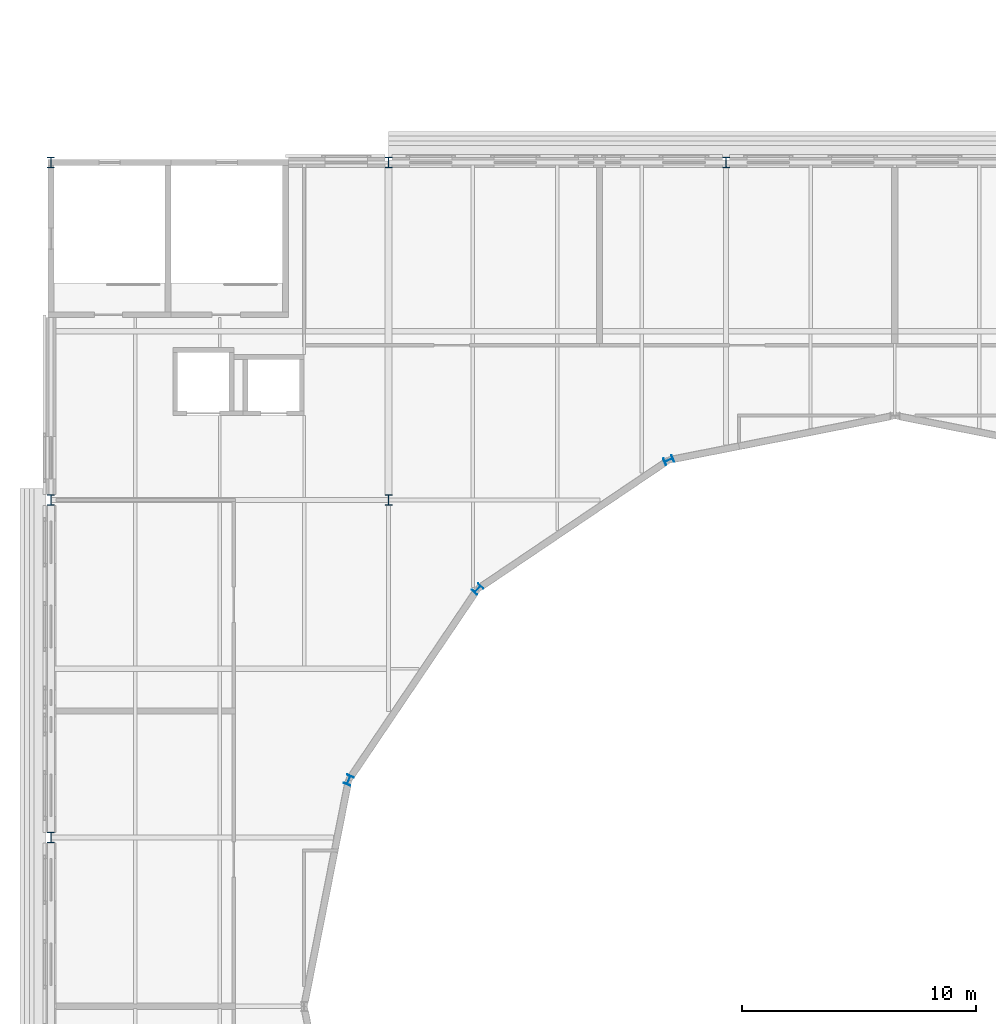
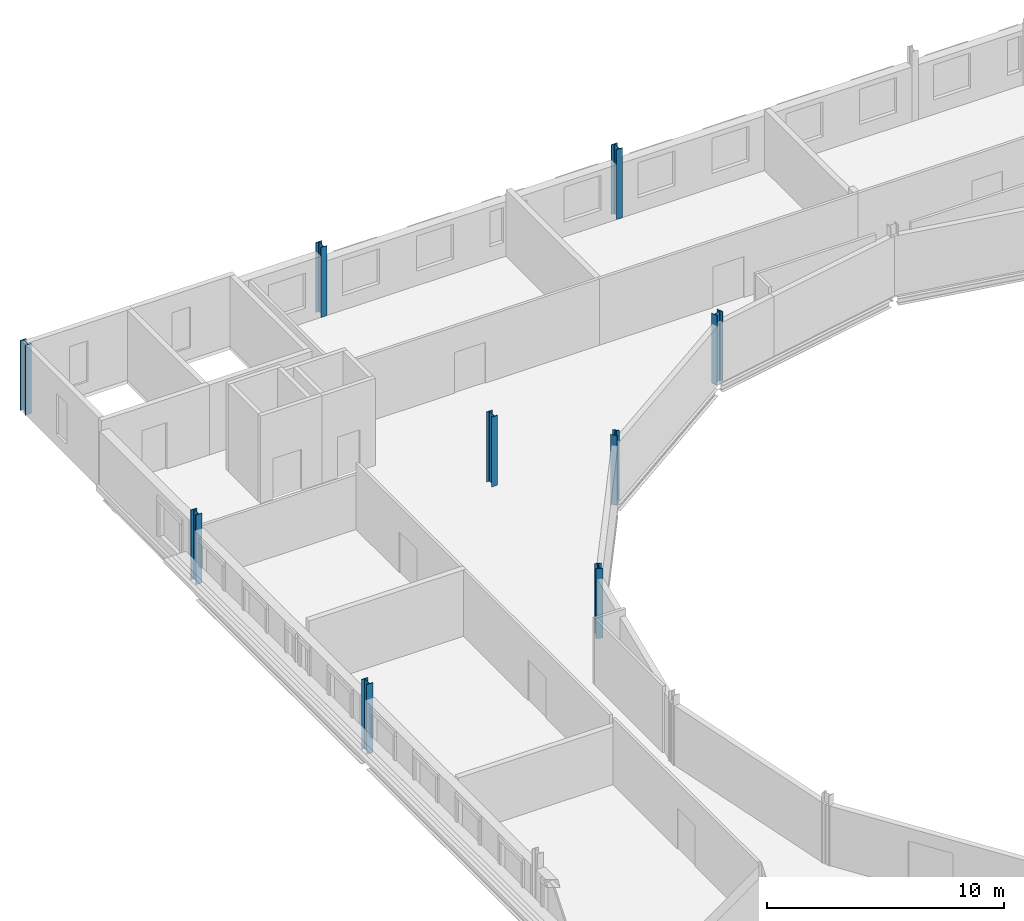
# One storey, part 8 of 142: 9 columns.
"""IFC4 building model written with IfcOpenShell, lengths in metres."""

from ifc_helpers import new_model, si_unit, direction, frame, origin, origin_2d, place, context, subcontext, project, spatial, i_section, extrude, material, material_profile, profile_set, type_object, element, save


model = new_model("IFC4")

# Units and contexts
model_context = context("Model", 3, precision=1e-05, world=origin(), true_north=direction((0.0, 1.0)))
body_context = subcontext(model_context, "Body", "Model", "MODEL_VIEW")
ifc_project = project(units=[si_unit("LENGTHUNIT", "METRE"), si_unit("AREAUNIT", "SQUARE_METRE"), si_unit("VOLUMEUNIT", "CUBIC_METRE"), si_unit("PLANEANGLEUNIT", "RADIAN"), si_unit("MASSUNIT", "GRAM", prefix="KILO")], contexts=[model_context])

# Site, building, storey
site_placement = place(None, origin())
site = spatial("IfcSite", under=ifc_project, at=site_placement, CompositionType="ELEMENT")
building_placement = place(site_placement, origin())
building = spatial("IfcBuilding", under=site, at=building_placement, Name="Kupolbacken Congress Centre", CompositionType="ELEMENT")
storey_placement = place(building_placement, frame((0.0, 0.0, 14.39990234375)))
storey = spatial("IfcBuildingStorey", under=building, at=storey_placement, Name="L04", CompositionType="ELEMENT", Elevation=14.39990234375)

# Columns
ifc_material_1 = material(Name="Steel S355", Category="steel")
ifc_material_profile_1 = material_profile(ifc_material_1, i_section(OverallWidth=0.300048828125, OverallDepth=0.449951171875, WebThickness=0.013916015625, FlangeThickness=0.02587890625, FilletRadius=0.027099609375, at=origin_2d()), Name="HEB 450")
ifc_profile_set_1 = profile_set([ifc_material_profile_1], Name="Steel S355")
column_type_1 = type_object("IfcColumnType", Name="C03 column HEB 450", PredefinedType="COLUMN", material=ifc_profile_set_1)
for number, where, z_axis, x_axis, name in (
    (1, (7.199951171875, 93.60009765625, 0.0), (0.0, 0.0, 1.0), (1.0, 0.0, 0.0), "S/col/C-P-2P/L04"),
    (2, (7.199951171875, 108.0, 0.0), (0.0, 0.0, 1.0), (1.0, 0.0, 0.0), "S/col/C-P-2R/L04"),
    (3, (7.199951171875, 122.39990234375, 0.0), (0.0, 0.0, 1.0), (1.0, 0.0, 0.0), "S/col/C-P-2T/L04"),
    (4, (21.60009765625, 122.39990234375, 0.0), (0.0, 0.0, 1.0), (1.0, 0.0, 0.0), "S/col/C-P-4T/L04"),
    (5, (36.0, 122.39990234375, 0.0), (0.0, 0.0, 1.0), (1.0, 0.0, 0.0), "S/col/C-P-6T/L04"),
    (6, (21.60009765625, 108.0, 0.0), (0.0, 0.0, 1.0), (1.0, 0.0, 0.0), "S/col/C-P-4R/L04"),
):
    element("IfcColumn", number, at=place(storey_placement, frame(where, z_axis=z_axis, x_axis=x_axis)), inside=storey, type_object=column_type_1, Name=name, PredefinedType="COLUMN", context=body_context, shape_type="SweptSolid", body=[
        extrude(i_section(OverallWidth=0.300048828125, OverallDepth=0.449951171875, WebThickness=0.013916015625, FlangeThickness=0.02587890625, FilletRadius=0.027099609375, at=origin_2d()), origin(), (0.0, 0.0, 1.0), 3.60009765625),
    ])
ifc_material_2 = material(Name="Steel S355", Category="steel")
ifc_material_profile_2 = material_profile(ifc_material_2, i_section(OverallWidth=0.300048828125, OverallDepth=0.39990234375, WebThickness=0.013427734375, FlangeThickness=0.02392578125, FilletRadius=0.027099609375, at=origin_2d()), Name="HEB 400")
ifc_profile_set_2 = profile_set([ifc_material_profile_2], Name="Steel S355")
column_type_2 = type_object("IfcColumnType", Name="C08 column HEB 400", PredefinedType="COLUMN", material=ifc_profile_set_2)
for number, where, z_axis, x_axis, name in (
    (7, (33.550048828125, 109.699951171875, 0.0), (0.0, 0.0, 1.0), (-0.382643629864, 0.923896018243, 0.0), "S/col/C-D06/L04"),
    (8, (25.39990234375, 104.199951171875, 0.0), (0.0, 0.0, 1.0), (-0.707106781187, 0.707106781187, 0.0), "S/col/C-D07/L04"),
    (9, (19.89990234375, 96.050048828125, 0.0), (0.0, 0.0, 1.0), (-0.923896018243, 0.382643629864, 0.0), "S/col/C-D08/L04"),
):
    element("IfcColumn", number, at=place(storey_placement, frame(where, z_axis=z_axis, x_axis=x_axis)), inside=storey, type_object=column_type_2, Name=name, PredefinedType="COLUMN", context=body_context, shape_type="SweptSolid", body=[
        extrude(i_section(OverallWidth=0.300048828125, OverallDepth=0.39990234375, WebThickness=0.013427734375, FlangeThickness=0.02392578125, FilletRadius=0.027099609375, at=origin_2d()), origin(), (0.0, 0.0, 1.0), 3.60009765625),
    ])

save(model, "model.ifc")
